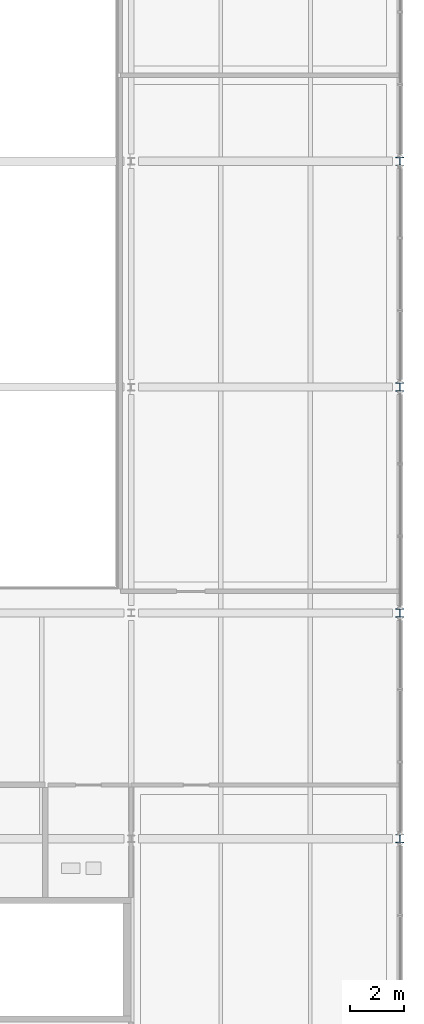
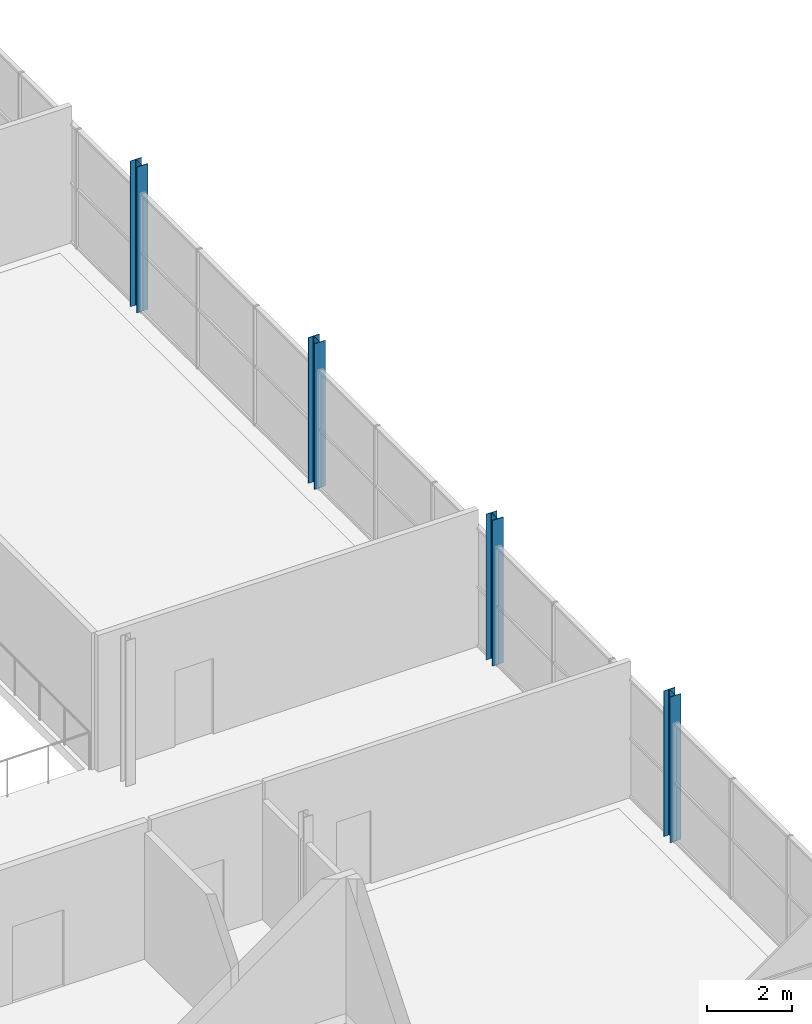
# One storey, part 14 of 161: 4 columns.
"""IFC4 building model written with IfcOpenShell, lengths in metres."""

from ifc_helpers import new_model, si_unit, direction, frame, origin, origin_2d, place, context, subcontext, project, spatial, i_section, extrude, material, material_profile, profile_set, type_object, element, save


model = new_model("IFC4")

# Units and contexts
model_context = context("Model", 3, precision=1e-05, world=origin(), true_north=direction((0.0, 1.0)))
body_context = subcontext(model_context, "Body", "Model", "MODEL_VIEW")
ifc_project = project(units=[si_unit("LENGTHUNIT", "METRE"), si_unit("AREAUNIT", "SQUARE_METRE"), si_unit("VOLUMEUNIT", "CUBIC_METRE"), si_unit("PLANEANGLEUNIT", "RADIAN"), si_unit("MASSUNIT", "GRAM", prefix="KILO"), si_unit("THERMODYNAMICTEMPERATUREUNIT", "KELVIN")], contexts=[model_context])

# Site, building, storey
site_placement = place(None, origin())
site = spatial("IfcSite", under=ifc_project, at=site_placement, CompositionType="ELEMENT")
building_placement = place(site_placement, origin())
building = spatial("IfcBuilding", under=site, at=building_placement, Name="Nduvali Passage Aquatics Centre", CompositionType="ELEMENT")
storey_placement = place(building_placement, frame((0.0, 0.0, 4.800048828125)))
storey = spatial("IfcBuildingStorey", under=building, at=storey_placement, Name="L01", CompositionType="ELEMENT", Elevation=4.800048828125)

# Columns
ifc_material = material(Name="Steel S355", Category="steel")
ifc_material_profile = material_profile(ifc_material, i_section(OverallWidth=0.300048828125, OverallDepth=0.31005859375, WebThickness=0.009033203125, FlangeThickness=0.015380859375, FilletRadius=0.027099609375, at=origin_2d()), Name="HEA 320")
ifc_profile_set = profile_set([ifc_material_profile], Name="Steel S355")
column_type = type_object("IfcColumnType", Name="STR-COL-HEA320-EXT", PredefinedType="COLUMN", material=ifc_profile_set)
for number, where, z_axis, x_axis, name in (
    (1, (168.0, 33.60009765625, 0.0), (0.0, 0.0, 1.0), (1.0, 0.0, 0.0), "L01 Column C8BE (168.0, 33.6)"),
    (2, (168.0, 42.0, 0.0), (0.0, 0.0, 1.0), (1.0, 0.0, 0.0), "L01 Column C8BE (168.0, 42.0)"),
    (3, (168.0, 50.39990234375, 0.0), (0.0, 0.0, 1.0), (1.0, 0.0, 0.0), "L01 Column C8BE (168.0, 50.4)"),
    (4, (168.0, 58.800048828125, 0.0), (0.0, 0.0, 1.0), (1.0, 0.0, 0.0), "L01 Column C8BE (168.0, 58.8)"),
):
    element("IfcColumn", number, at=place(storey_placement, frame(where, z_axis=z_axis, x_axis=x_axis)), inside=storey, type_object=column_type, Name=name, PredefinedType="COLUMN", context=body_context, shape_type="SweptSolid", body=[
        extrude(i_section(OverallWidth=0.300048828125, OverallDepth=0.31005859375, WebThickness=0.009033203125, FlangeThickness=0.015380859375, FilletRadius=0.027099609375, at=origin_2d()), origin(), (0.0, 0.0, 1.0), 4.199951171875),
    ])

save(model, "model.ifc")
